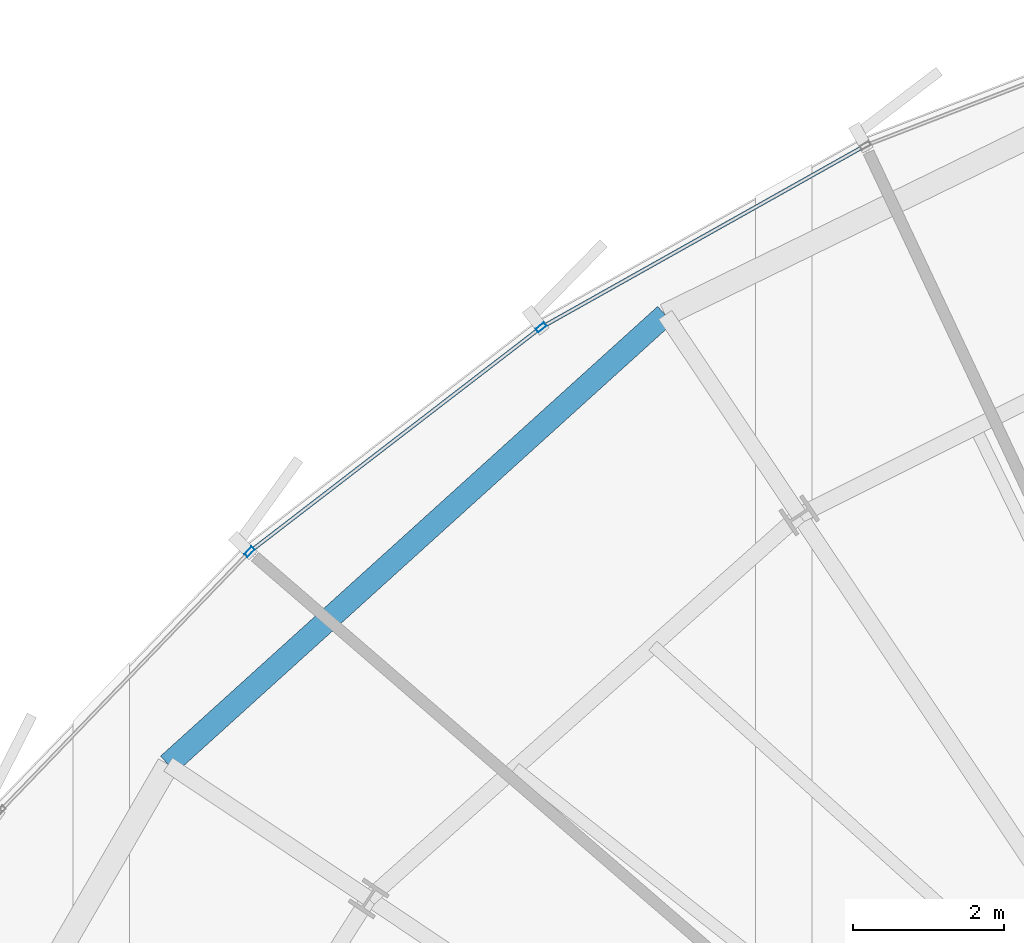
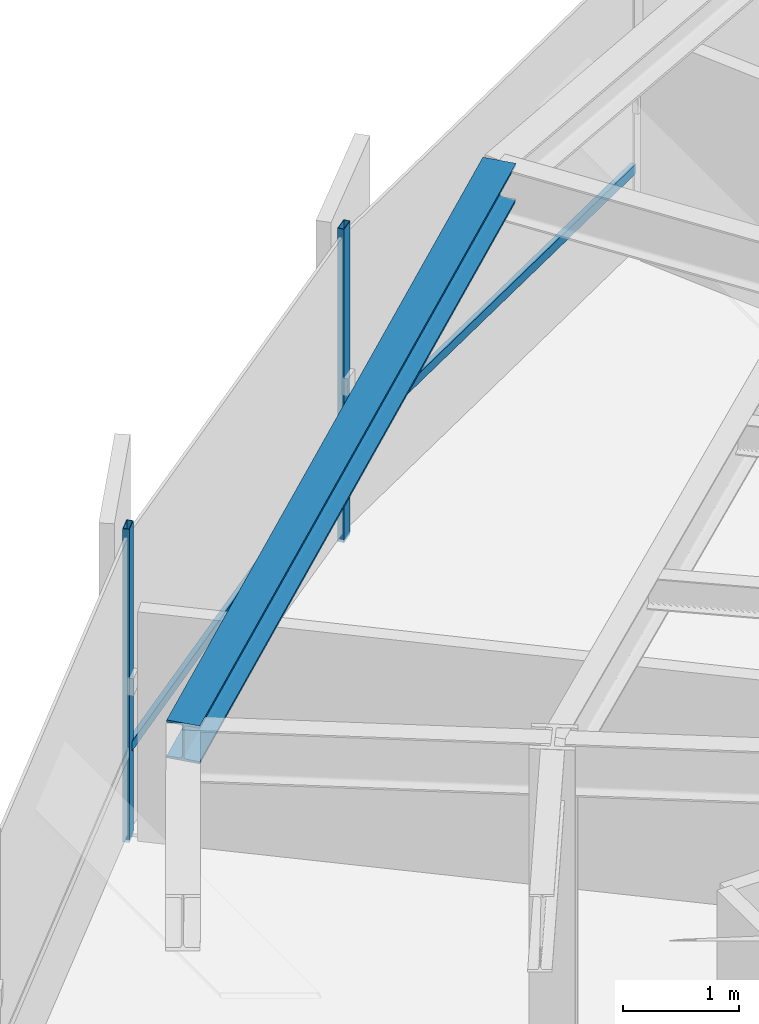
# One storey, part 20 of 35: 4 members, 1 beam, 1 element without a shape of its own.
"""IFC4 building model written with IfcOpenShell, lengths in metres."""

from ifc_helpers import new_model, si_unit, direction, frame, origin, origin_2d, place, context, subcontext, project, spatial, hollow_rectangle, i_section, extrude, source, transform, mapped, material, layer, layer_set, material_profile, profile_set, type_object, element, aggregate, save


model = new_model("IFC4")

# Units and contexts
model_context = context("Model", 3, precision=1e-05, world=origin(), true_north=direction((0.0, 1.0)))
body_context = subcontext(model_context, "Body", "Model", "MODEL_VIEW")
ifc_project = project(units=[si_unit("LENGTHUNIT", "METRE"), si_unit("AREAUNIT", "SQUARE_METRE"), si_unit("VOLUMEUNIT", "CUBIC_METRE"), si_unit("PLANEANGLEUNIT", "RADIAN"), si_unit("MASSUNIT", "GRAM", prefix="KILO"), si_unit("THERMODYNAMICTEMPERATUREUNIT", "KELVIN")], contexts=[model_context])

# Site, building, storey
site_placement = place(None, origin())
site = spatial("IfcSite", under=ifc_project, at=site_placement, CompositionType="ELEMENT")
building_placement = place(site_placement, origin())
building = spatial("IfcBuilding", under=site, at=building_placement, Name="Kethvar Cultural Tower", CompositionType="ELEMENT")
storey_placement = place(building_placement, frame((0.0, 0.0, 135.89990234375)))
storey = spatial("IfcBuildingStorey", under=building, at=storey_placement, Name="L34", CompositionType="ELEMENT", Elevation=135.89990234375)

# Beam
ifc_material_1 = material(Name="Steel S355J2", Category="steel")
ifc_material_profile_1 = material_profile(ifc_material_1, i_section(OverallWidth=0.300048828125, OverallDepth=0.39990234375, WebThickness=0.013427734375, FlangeThickness=0.02392578125, FilletRadius=0.027099609375, at=origin_2d()), Name="Steel S355J2 — HEB400")
ifc_profile_set_1 = profile_set([ifc_material_profile_1], Name="Steel S355J2 — HEB400")
beam_type = type_object("IfcBeamType", Name="BM-SP400", PredefinedType="SPANDREL", material=ifc_profile_set_1)
shared_shape_1 = source(origin(), body_context, "Body", "SweptSolid", [
    extrude(i_section(OverallWidth=0.300048828125, OverallDepth=0.39990234375, WebThickness=0.013427734375, FlangeThickness=0.02392578125, FilletRadius=0.027099609375, at=origin_2d()), origin(), (0.0, 0.0, 1.0), 8.892822265625),
])
beam_placement = place(storey_placement, frame((34.27978515625, 46.5380859375, 3.09814453125), z_axis=(-0.741556591679, -0.670890319901, 0.0), x_axis=(0.670890319901, -0.741556591679, 0.0)))
element("IfcBeam", 1, at=beam_placement, inside=storey, type_object=beam_type, Name="L34 Perimeter Spandrel Beam SP-06", PredefinedType="SPANDREL", context=body_context, shape_type="MappedRepresentation", body=[
    mapped(shared_shape_1, transform((0.0, 0.0, 0.0), scale=1.0)),
])

# Curtain wall, members
ifc_material_2 = material(Name="Aluminium 6063-T6", Category="aluminium")
ifc_layer = layer(ifc_material_2, 0.179931640625, Name="Aluminium 6063-T6", Category="aluminium")
ifc_layer_set = layer_set([ifc_layer], Name="Aluminium 6063-T6 (180 mm)")
curtain_wall_type = type_object("IfcCurtainWallType", Name="CW-SYS-04-Z34", PredefinedType="NOTDEFINED", material=ifc_layer_set)
curtain_wall_placement = place(storey_placement, origin())
curtain_wall = element("IfcCurtainWall", 2, at=curtain_wall_placement, inside=storey, type_object=curtain_wall_type, Name="L34 Curtain Wall Run 02", PredefinedType="NOTDEFINED")
ifc_material_profile_2 = material_profile(ifc_material_2, hollow_rectangle(XDim=0.06005859375, YDim=0.139892578125, WallThickness=0.0048828125, at=origin_2d()), Name="Aluminium 6063-T6 — RHS140x60x5")
ifc_profile_set_2 = profile_set([ifc_material_profile_2], Name="Aluminium 6063-T6 — RHS140x60x5")
member_type_1 = type_object("IfcMemberType", Name="CW-SYS-04-Z34-MUL", PredefinedType="MULLION", material=ifc_profile_set_2)
shared_shape_2 = source(origin(), body_context, "Body", "SweptSolid", [
    extrude(hollow_rectangle(XDim=0.06005859375, YDim=0.139892578125, WallThickness=0.0048828125, at=origin_2d()), origin(), (0.0, 0.0, 1.0), 3.300048828125),
])
member_1_placement = place(storey_placement, frame((32.63330078125, 46.370849609375, 0.0), z_axis=(0.0, 0.0, 1.0), x_axis=(0.609979213766, -0.792417414482, 0.0)))
member_1 = element("IfcMember", 3, at=member_1_placement, type_object=member_type_1, Name="CW-L34-R02 Mullion 5", PredefinedType="MULLION", context=body_context, shape_type="MappedRepresentation", body=[
    mapped(shared_shape_2, transform((0.0, 0.0, 0.0), scale=1.0)),
])
member_2_placement = place(storey_placement, frame((28.763671875, 43.3935546875, 0.0), z_axis=(0.0, 0.0, 1.0), x_axis=(0.720793110676, -0.69315026625, 0.0)))
member_2 = element("IfcMember", 4, at=member_2_placement, type_object=member_type_1, Name="CW-L34-R02 Mullion 6", PredefinedType="MULLION", context=body_context, shape_type="MappedRepresentation", body=[
    mapped(shared_shape_2, transform((0.0, 0.0, 0.0), scale=1.0)),
])
ifc_material_profile_3 = material_profile(ifc_material_2, hollow_rectangle(XDim=0.050048828125, YDim=0.10009765625, WallThickness=0.00390625, at=origin_2d()), Name="Aluminium 6063-T6 — RHS100x50x4")
ifc_profile_set_3 = profile_set([ifc_material_profile_3], Name="Aluminium 6063-T6 — RHS100x50x4")
member_type_2 = type_object("IfcMemberType", Name="CW-SYS-04-Z34-TRN", PredefinedType="USERDEFINED", material=ifc_profile_set_3)
shared_shape_3 = source(origin(), body_context, "Body", "SweptSolid", [
    extrude(hollow_rectangle(XDim=0.050048828125, YDim=0.10009765625, WallThickness=0.00390625, at=origin_2d()), origin(), (0.0, 0.0, 1.0), 4.861328125),
])
member_3_placement = place(storey_placement, frame((36.89697265625, 48.762451171875, 0.9501953125), z_axis=(-0.872052604122, -0.489412153143, 0.0), x_axis=(0.489412153143, -0.872052604122, 0.0)))
member_3 = element("IfcMember", 5, at=member_3_placement, type_object=member_type_2, Name="CW-L34-R02 Transom 4", ObjectType="TRANSOM", PredefinedType="USERDEFINED", context=body_context, shape_type="MappedRepresentation", body=[
    mapped(shared_shape_3, transform((0.0, 0.0, 0.0), scale=1.0)),
])
shared_shape_4 = source(origin(), body_context, "Body", "SweptSolid", [
    extrude(hollow_rectangle(XDim=0.050048828125, YDim=0.10009765625, WallThickness=0.00390625, at=origin_2d()), origin(), (0.0, 0.0, 1.0), 4.8125),
])
member_4_placement = place(storey_placement, frame((32.59912109375, 46.344482421875, 0.9501953125), z_axis=(-0.792412721001, -0.609985310968, 0.0), x_axis=(0.609985310968, -0.792412721001, 0.0)))
member_4 = element("IfcMember", 6, at=member_4_placement, type_object=member_type_2, Name="CW-L34-R02 Transom 5", ObjectType="TRANSOM", PredefinedType="USERDEFINED", context=body_context, shape_type="MappedRepresentation", body=[
    mapped(shared_shape_4, transform((0.0, 0.0, 0.0), scale=1.0)),
])
aggregate(curtain_wall, [member_1, member_2, member_3, member_4])

save(model, "model.ifc")
